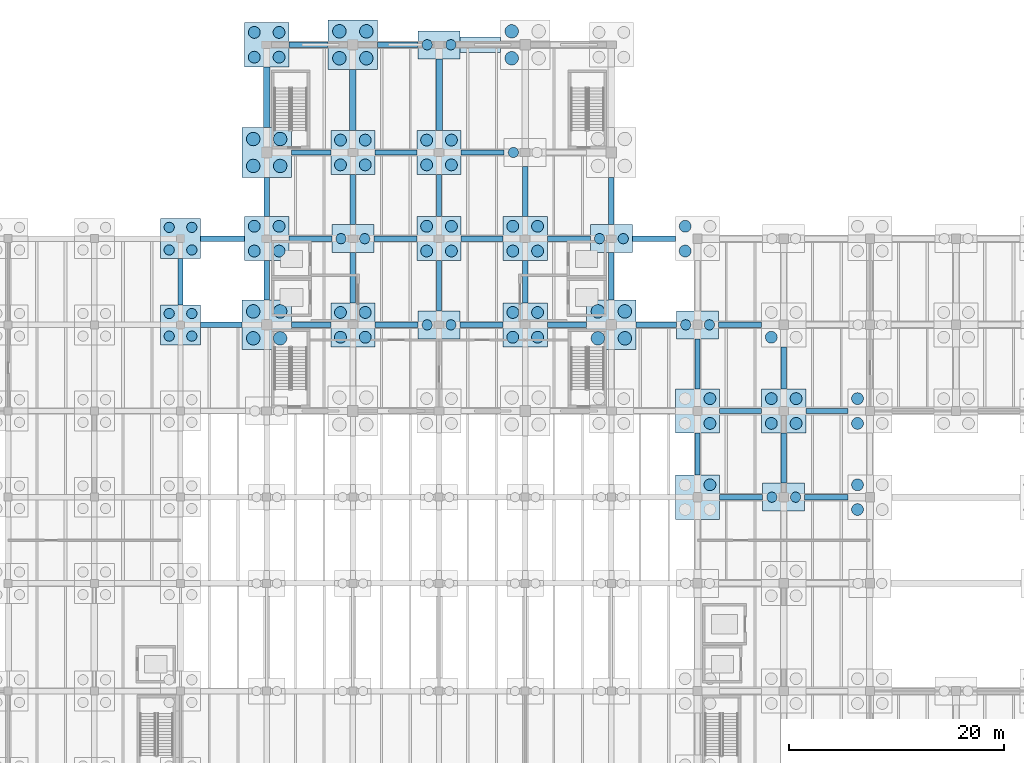
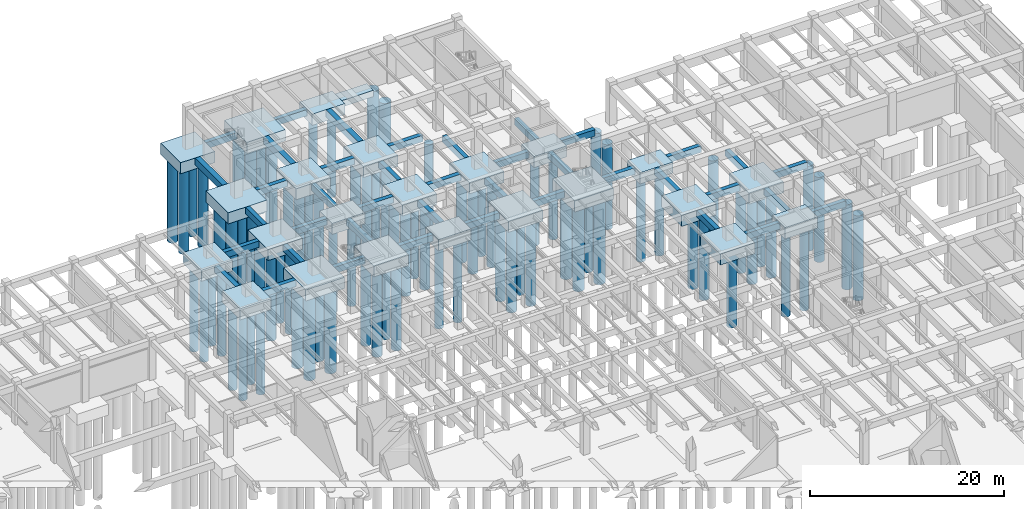
# One storey, part 6 of 44: 85 piles, 64 footings.
"""IFC4 building model written with IfcOpenShell, lengths in metres."""

from ifc_helpers import new_model, si_unit, direction, frame, origin, origin_2d, place, context, subcontext, project, spatial, rectangle, circle, extrude, material, material_profile, profile_set, type_object, element, save


model = new_model("IFC4")

# Units and contexts
model_context = context("Model", 3, precision=1e-05, world=origin(), true_north=direction((0.0, 1.0)))
body_context = subcontext(model_context, "Body", "Model", "MODEL_VIEW")
ifc_project = project(units=[si_unit("LENGTHUNIT", "METRE"), si_unit("AREAUNIT", "SQUARE_METRE"), si_unit("VOLUMEUNIT", "CUBIC_METRE"), si_unit("PLANEANGLEUNIT", "RADIAN"), si_unit("MASSUNIT", "GRAM", prefix="KILO")], contexts=[model_context])

# Site, building, storey
site_placement = place(None, origin())
site = spatial("IfcSite", under=ifc_project, at=site_placement, CompositionType="ELEMENT")
building_placement = place(site_placement, origin())
building = spatial("IfcBuilding", under=site, at=building_placement, Name="Pecanmere Concourse Central Library", CompositionType="ELEMENT")
storey_placement = place(building_placement, frame((0.0, 0.0, -5.39990234375)))
storey = spatial("IfcBuildingStorey", under=building, at=storey_placement, Name="B1", CompositionType="ELEMENT", Elevation=-5.39990234375)

# Footings
ifc_material_1 = material(Name="Concrete C40/50", Category="concrete")
ifc_material_profile_1 = material_profile(ifc_material_1, rectangle(XDim=0.5, YDim=0.800048828125, at=origin_2d()), Name="RC 500x800")
ifc_profile_set_1 = profile_set([ifc_material_profile_1], Name="Concrete C40/50")
footing_type_1 = type_object("IfcFootingType", Name="GBEAM_500x800", PredefinedType="FOOTING_BEAM", material=ifc_profile_set_1)
for number, where, z_axis, x_axis, name in (
    (1, (116.050048828125, 82.0, -0.80029296875), (0.0, 0.0, 1.0), (1.0, 0.0, 0.0), "Foundation Tie Beam X-161"),
    (2, (123.949951171875, 82.0, -0.80029296875), (0.0, 0.0, 1.0), (1.0, 0.0, 0.0), "Foundation Tie Beam X-162"),
):
    element("IfcFooting", number, at=place(storey_placement, frame(where, z_axis=z_axis, x_axis=x_axis)), inside=storey, type_object=footing_type_1, Name=name, PredefinedType="FOOTING_BEAM", context=body_context, shape_type="SweptSolid", body=[
        extrude(rectangle(XDim=4.0, YDim=0.5, at=origin_2d()), origin(), (0.0, 0.0, 1.0), 0.800048828125),
    ])
for number, where, z_axis, x_axis, name in (
    (3, (116.0, 90.0, -0.80029296875), (0.0, 0.0, 1.0), (1.0, 0.0, 0.0), "Foundation Tie Beam X-176"),
    (4, (124.0, 90.0, -0.80029296875), (0.0, 0.0, 1.0), (1.0, 0.0, 0.0), "Foundation Tie Beam X-177"),
):
    element("IfcFooting", number, at=place(storey_placement, frame(where, z_axis=z_axis, x_axis=x_axis)), inside=storey, type_object=footing_type_1, Name=name, PredefinedType="FOOTING_BEAM", context=body_context, shape_type="SweptSolid", body=[
        extrude(rectangle(XDim=3.89990234375, YDim=0.5, at=origin_2d()), origin(), (0.0, 0.0, 1.0), 0.800048828125),
    ])
footing_1_placement = place(storey_placement, frame((67.77490234375, 98.0, -0.80029296875), z_axis=(0.0, 0.0, 1.0), x_axis=(1.0, 0.0, 0.0)))
element("IfcFooting", 5, at=footing_1_placement, inside=storey, type_object=footing_type_1, Name="Foundation Tie Beam X-186", PredefinedType="FOOTING_BEAM", context=body_context, shape_type="SweptSolid", body=[
    extrude(rectangle(XDim=3.85009765625, YDim=0.5, at=origin_2d()), origin(), (0.0, 0.0, 1.0), 0.800048828125),
])
footing_2_placement = place(storey_placement, frame((76.125, 98.0, -0.80029296875), z_axis=(0.0, 0.0, 1.0), x_axis=(1.0, 0.0, 0.0)))
element("IfcFooting", 6, at=footing_2_placement, inside=storey, type_object=footing_type_1, Name="Foundation Tie Beam X-187", PredefinedType="FOOTING_BEAM", context=body_context, shape_type="SweptSolid", body=[
    extrude(rectangle(XDim=3.64990234375, YDim=0.5, at=origin_2d()), origin(), (0.0, 0.0, 1.0), 0.800048828125),
])
for number, where, z_axis, x_axis, name in (
    (7, (84.050048828125, 98.0, -0.80029296875), (0.0, 0.0, 1.0), (1.0, 0.0, 0.0), "Foundation Tie Beam X-188"),
    (8, (91.949951171875, 98.0, -0.80029296875), (0.0, 0.0, 1.0), (1.0, 0.0, 0.0), "Foundation Tie Beam X-189"),
):
    element("IfcFooting", number, at=place(storey_placement, frame(where, z_axis=z_axis, x_axis=x_axis)), inside=storey, type_object=footing_type_1, Name=name, PredefinedType="FOOTING_BEAM", context=body_context, shape_type="SweptSolid", body=[
        extrude(rectangle(XDim=4.0, YDim=0.5, at=origin_2d()), origin(), (0.0, 0.0, 1.0), 0.800048828125),
    ])
footing_3_placement = place(storey_placement, frame((99.875, 98.0, -0.80029296875), z_axis=(0.0, 0.0, 1.0), x_axis=(1.0, 0.0, 0.0)))
element("IfcFooting", 9, at=footing_3_placement, inside=storey, type_object=footing_type_1, Name="Foundation Tie Beam X-190", PredefinedType="FOOTING_BEAM", context=body_context, shape_type="SweptSolid", body=[
    extrude(rectangle(XDim=3.64990234375, YDim=0.5, at=origin_2d()), origin(), (0.0, 0.0, 1.0), 0.800048828125),
])
footing_4_placement = place(storey_placement, frame((108.175048828125, 98.0, -0.80029296875), z_axis=(0.0, 0.0, 1.0), x_axis=(1.0, 0.0, 0.0)))
element("IfcFooting", 10, at=footing_4_placement, inside=storey, type_object=footing_type_1, Name="Foundation Tie Beam X-191", PredefinedType="FOOTING_BEAM", context=body_context, shape_type="SweptSolid", body=[
    extrude(rectangle(XDim=3.75, YDim=0.5, at=origin_2d()), origin(), (0.0, 0.0, 1.0), 0.800048828125),
])
footing_5_placement = place(storey_placement, frame((115.949951171875, 98.0, -0.80029296875), z_axis=(0.0, 0.0, 1.0), x_axis=(1.0, 0.0, 0.0)))
element("IfcFooting", 11, at=footing_5_placement, inside=storey, type_object=footing_type_1, Name="Foundation Tie Beam X-192", PredefinedType="FOOTING_BEAM", context=body_context, shape_type="SweptSolid", body=[
    extrude(rectangle(XDim=4.0, YDim=0.5, at=origin_2d()), origin(), (0.0, 0.0, 1.0), 0.800048828125),
])
footing_6_placement = place(storey_placement, frame((67.89990234375, 106.0, -0.80029296875), z_axis=(0.0, 0.0, 1.0), x_axis=(1.0, 0.0, 0.0)))
element("IfcFooting", 12, at=footing_6_placement, inside=storey, type_object=footing_type_1, Name="Foundation Tie Beam X-202", PredefinedType="FOOTING_BEAM", context=body_context, shape_type="SweptSolid", body=[
    extrude(rectangle(XDim=4.10009765625, YDim=0.5, at=origin_2d()), origin(), (0.0, 0.0, 1.0), 0.800048828125),
])
for number, where, z_axis, x_axis, name in (
    (13, (76.050048828125, 106.0, -0.80029296875), (0.0, 0.0, 1.0), (1.0, 0.0, 0.0), "Foundation Tie Beam X-203"),
    (14, (83.949951171875, 106.0, -0.80029296875), (0.0, 0.0, 1.0), (1.0, 0.0, 0.0), "Foundation Tie Beam X-204"),
):
    element("IfcFooting", number, at=place(storey_placement, frame(where, z_axis=z_axis, x_axis=x_axis)), inside=storey, type_object=footing_type_1, Name=name, PredefinedType="FOOTING_BEAM", context=body_context, shape_type="SweptSolid", body=[
        extrude(rectangle(XDim=4.0, YDim=0.5, at=origin_2d()), origin(), (0.0, 0.0, 1.0), 0.800048828125),
    ])
footing_7_placement = place(storey_placement, frame((92.0, 106.0, -0.80029296875), z_axis=(0.0, 0.0, 1.0), x_axis=(1.0, 0.0, 0.0)))
element("IfcFooting", 15, at=footing_7_placement, inside=storey, type_object=footing_type_1, Name="Foundation Tie Beam X-205", PredefinedType="FOOTING_BEAM", context=body_context, shape_type="SweptSolid", body=[
    extrude(rectangle(XDim=3.89990234375, YDim=0.5, at=origin_2d()), origin(), (0.0, 0.0, 1.0), 0.800048828125),
])
for number, where, z_axis, x_axis, name in (
    (16, (100.050048828125, 106.0, -0.80029296875), (0.0, 0.0, 1.0), (1.0, 0.0, 0.0), "Foundation Tie Beam X-206"),
    (17, (107.949951171875, 106.0, -0.80029296875), (0.0, 0.0, 1.0), (1.0, 0.0, 0.0), "Foundation Tie Beam X-207"),
):
    element("IfcFooting", number, at=place(storey_placement, frame(where, z_axis=z_axis, x_axis=x_axis)), inside=storey, type_object=footing_type_1, Name=name, PredefinedType="FOOTING_BEAM", context=body_context, shape_type="SweptSolid", body=[
        extrude(rectangle(XDim=4.0, YDim=0.5, at=origin_2d()), origin(), (0.0, 0.0, 1.0), 0.800048828125),
    ])
footing_8_placement = place(storey_placement, frame((76.125, 114.0, -0.80029296875), z_axis=(0.0, 0.0, 1.0), x_axis=(1.0, 0.0, 0.0)))
element("IfcFooting", 18, at=footing_8_placement, inside=storey, type_object=footing_type_1, Name="Foundation Tie Beam X-213", PredefinedType="FOOTING_BEAM", context=body_context, shape_type="SweptSolid", body=[
    extrude(rectangle(XDim=3.64990234375, YDim=0.5, at=origin_2d()), origin(), (0.0, 0.0, 1.0), 0.800048828125),
])
footing_9_placement = place(storey_placement, frame((84.0, 114.0, -0.80029296875), z_axis=(0.0, 0.0, 1.0), x_axis=(1.0, 0.0, 0.0)))
element("IfcFooting", 19, at=footing_9_placement, inside=storey, type_object=footing_type_1, Name="Foundation Tie Beam X-214", PredefinedType="FOOTING_BEAM", context=body_context, shape_type="SweptSolid", body=[
    extrude(rectangle(XDim=3.89990234375, YDim=0.5, at=origin_2d()), origin(), (0.0, 0.0, 1.0), 0.800048828125),
])
footing_10_placement = place(storey_placement, frame((92.050048828125, 114.0, -0.80029296875), z_axis=(0.0, 0.0, 1.0), x_axis=(1.0, 0.0, 0.0)))
element("IfcFooting", 20, at=footing_10_placement, inside=storey, type_object=footing_type_1, Name="Foundation Tie Beam X-215", PredefinedType="FOOTING_BEAM", context=body_context, shape_type="SweptSolid", body=[
    extrude(rectangle(XDim=4.0, YDim=0.5, at=origin_2d()), origin(), (0.0, 0.0, 1.0), 0.800048828125),
])
footing_11_placement = place(storey_placement, frame((75.875, 124.0, -0.80029296875), z_axis=(0.0, 0.0, 1.0), x_axis=(1.0, 0.0, 0.0)))
element("IfcFooting", 21, at=footing_11_placement, inside=storey, type_object=footing_type_1, Name="Foundation Tie Beam X-217", PredefinedType="FOOTING_BEAM", context=body_context, shape_type="SweptSolid", body=[
    extrude(rectangle(XDim=3.64990234375, YDim=0.5, at=origin_2d()), origin(), (0.0, 0.0, 1.0), 0.800048828125),
])
footing_12_placement = place(storey_placement, frame((84.175048828125, 124.0, -0.80029296875), z_axis=(0.0, 0.0, 1.0), x_axis=(1.0, 0.0, 0.0)))
element("IfcFooting", 22, at=footing_12_placement, inside=storey, type_object=footing_type_1, Name="Foundation Tie Beam X-218", PredefinedType="FOOTING_BEAM", context=body_context, shape_type="SweptSolid", body=[
    extrude(rectangle(XDim=3.75, YDim=0.5, at=origin_2d()), origin(), (0.0, 0.0, 1.0), 0.800048828125),
])
footing_13_placement = place(storey_placement, frame((64.0, 102.0, -0.80029296875), z_axis=(0.0, 0.0, 1.0), x_axis=(0.0, 1.0, 0.0)))
element("IfcFooting", 23, at=footing_13_placement, inside=storey, type_object=footing_type_1, Name="Foundation Tie Beam Y-297", PredefinedType="FOOTING_BEAM", context=body_context, shape_type="SweptSolid", body=[
    extrude(rectangle(XDim=4.300048828125, YDim=0.5, at=origin_2d()), origin(), (0.0, 0.0, 1.0), 0.800048828125),
])
for number, where, z_axis, x_axis, name in (
    (24, (72.0, 102.125, -0.80029296875), (0.0, 0.0, 1.0), (0.0, 1.0, 0.0), "Foundation Tie Beam Y-307"),
    (25, (72.0, 109.875, -0.80029296875), (0.0, 0.0, 1.0), (0.0, 1.0, 0.0), "Foundation Tie Beam Y-308"),
):
    element("IfcFooting", number, at=place(storey_placement, frame(where, z_axis=z_axis, x_axis=x_axis)), inside=storey, type_object=footing_type_1, Name=name, PredefinedType="FOOTING_BEAM", context=body_context, shape_type="SweptSolid", body=[
        extrude(rectangle(XDim=3.64990234375, YDim=0.5, at=origin_2d()), origin(), (0.0, 0.0, 1.0), 0.800048828125),
    ])
for number, where, z_axis, x_axis, name in (
    (26, (80.0, 102.375, -0.80029296875), (0.0, 0.0, 1.0), (0.0, 1.0, 0.0), "Foundation Tie Beam Y-319"),
    (27, (80.0, 109.625, -0.80029296875), (0.0, 0.0, 1.0), (0.0, 1.0, 0.0), "Foundation Tie Beam Y-320"),
    (28, (88.0, 101.625, -0.80029296875), (0.0, 0.0, 1.0), (0.0, 1.0, 0.0), "Foundation Tie Beam Y-331"),
):
    element("IfcFooting", number, at=place(storey_placement, frame(where, z_axis=z_axis, x_axis=x_axis)), inside=storey, type_object=footing_type_1, Name=name, PredefinedType="FOOTING_BEAM", context=body_context, shape_type="SweptSolid", body=[
        extrude(rectangle(XDim=4.64990234375, YDim=0.5, at=origin_2d()), origin(), (0.0, 0.0, 1.0), 0.800048828125),
    ])
for number, where, z_axis, x_axis, name in (
    (29, (88.0, 110.0, -0.80029296875), (0.0, 0.0, 1.0), (0.0, 1.0, 0.0), "Foundation Tie Beam Y-332"),
    (30, (96.0, 102.0, -0.80029296875), (0.0, 0.0, 1.0), (0.0, 1.0, 0.0), "Foundation Tie Beam Y-343"),
):
    element("IfcFooting", number, at=place(storey_placement, frame(where, z_axis=z_axis, x_axis=x_axis)), inside=storey, type_object=footing_type_1, Name=name, PredefinedType="FOOTING_BEAM", context=body_context, shape_type="SweptSolid", body=[
        extrude(rectangle(XDim=3.89990234375, YDim=0.5, at=origin_2d()), origin(), (0.0, 0.0, 1.0), 0.800048828125),
    ])
footing_14_placement = place(storey_placement, frame((96.0, 110.375, -0.80029296875), z_axis=(0.0, 0.0, 1.0), x_axis=(0.0, 1.0, 0.0)))
element("IfcFooting", 31, at=footing_14_placement, inside=storey, type_object=footing_type_1, Name="Foundation Tie Beam Y-344", PredefinedType="FOOTING_BEAM", context=body_context, shape_type="SweptSolid", body=[
    extrude(rectangle(XDim=4.64990234375, YDim=0.5, at=origin_2d()), origin(), (0.0, 0.0, 1.0), 0.800048828125),
])
for number, where, z_axis, x_axis, name in (
    (32, (104.0, 102.5, -0.80029296875), (0.0, 0.0, 1.0), (0.0, 1.0, 0.0), "Foundation Tie Beam Y-355"),
    (33, (104.0, 109.5, -0.80029296875), (0.0, 0.0, 1.0), (0.0, 1.0, 0.0), "Foundation Tie Beam Y-356"),
):
    element("IfcFooting", number, at=place(storey_placement, frame(where, z_axis=z_axis, x_axis=x_axis)), inside=storey, type_object=footing_type_1, Name=name, PredefinedType="FOOTING_BEAM", context=body_context, shape_type="SweptSolid", body=[
        extrude(rectangle(XDim=4.39990234375, YDim=0.5, at=origin_2d()), origin(), (0.0, 0.0, 1.0), 0.800048828125),
    ])
footing_15_placement = place(storey_placement, frame((112.0, 86.0, -0.80029296875), z_axis=(0.0, 0.0, 1.0), x_axis=(0.0, 1.0, 0.0)))
element("IfcFooting", 34, at=footing_15_placement, inside=storey, type_object=footing_type_1, Name="Foundation Tie Beam Y-365", PredefinedType="FOOTING_BEAM", context=body_context, shape_type="SweptSolid", body=[
    extrude(rectangle(XDim=3.89990234375, YDim=0.5, at=origin_2d()), origin(), (0.0, 0.0, 1.0), 0.800048828125),
])
for number, where, z_axis, x_axis, name in (
    (35, (112.0, 94.375, -0.80029296875), (0.0, 0.0, 1.0), (0.0, 1.0, 0.0), "Foundation Tie Beam Y-366"),
    (36, (120.0, 85.625, -0.80029296875), (0.0, 0.0, 1.0), (0.0, 1.0, 0.0), "Foundation Tie Beam Y-375"),
):
    element("IfcFooting", number, at=place(storey_placement, frame(where, z_axis=z_axis, x_axis=x_axis)), inside=storey, type_object=footing_type_1, Name=name, PredefinedType="FOOTING_BEAM", context=body_context, shape_type="SweptSolid", body=[
        extrude(rectangle(XDim=4.64990234375, YDim=0.5, at=origin_2d()), origin(), (0.0, 0.0, 1.0), 0.800048828125),
    ])
footing_16_placement = place(storey_placement, frame((120.0, 94.0, -0.80029296875), z_axis=(0.0, 0.0, 1.0), x_axis=(0.0, 1.0, 0.0)))
element("IfcFooting", 37, at=footing_16_placement, inside=storey, type_object=footing_type_1, Name="Foundation Tie Beam Y-376", PredefinedType="FOOTING_BEAM", context=body_context, shape_type="SweptSolid", body=[
    extrude(rectangle(XDim=3.89990234375, YDim=0.5, at=origin_2d()), origin(), (0.0, 0.0, 1.0), 0.800048828125),
])
ifc_material_2 = material(Name="Concrete C40/50", Category="concrete")
ifc_material_profile_2 = material_profile(ifc_material_2, rectangle(XDim=0.60009765625, YDim=0.89990234375, at=origin_2d()), Name="RC 600x900")
ifc_profile_set_2 = profile_set([ifc_material_profile_2], Name="Concrete C40/50")
footing_type_2 = type_object("IfcFootingType", Name="GBEAM_600x900", PredefinedType="FOOTING_BEAM", material=ifc_profile_set_2)
for number, where, z_axis, x_axis, name in (
    (38, (72.0, 119.125, -0.900146484375), (0.0, 0.0, 1.0), (0.0, 1.0, 0.0), "Foundation Tie Beam Y-309"),
    (39, (80.0, 118.875, -0.900146484375), (0.0, 0.0, 1.0), (0.0, 1.0, 0.0), "Foundation Tie Beam Y-321"),
):
    element("IfcFooting", number, at=place(storey_placement, frame(where, z_axis=z_axis, x_axis=x_axis)), inside=storey, type_object=footing_type_2, Name=name, PredefinedType="FOOTING_BEAM", context=body_context, shape_type="SweptSolid", body=[
        extrude(rectangle(XDim=5.64990234375, YDim=0.60009765625, at=origin_2d()), origin(), (0.0, 0.0, 1.0), 0.89990234375),
    ])
footing_17_placement = place(storey_placement, frame((88.0, 119.375, -0.900146484375), z_axis=(0.0, 0.0, 1.0), x_axis=(0.0, 1.0, 0.0)))
element("IfcFooting", 40, at=footing_17_placement, inside=storey, type_object=footing_type_2, Name="Foundation Tie Beam Y-333", PredefinedType="FOOTING_BEAM", context=body_context, shape_type="SweptSolid", body=[
    extrude(rectangle(XDim=6.64990234375, YDim=0.60009765625, at=origin_2d()), origin(), (0.0, 0.0, 1.0), 0.89990234375),
])
ifc_material_3 = material(Name="Concrete C40/50", Category="concrete")
footing_type_3 = type_object("IfcFootingType", Name="PCAP_3700x3700", PredefinedType="PILE_CAP", material=ifc_material_3)
for number, where, z_axis, x_axis, name in (
    (41, (64.0, 98.0, -1.400146484375), (0.0, 0.0, 1.0), (1.0, 0.0, 0.0), "Drilled Pier Cap PC-03 at (64,98)"),
    (42, (64.0, 106.0, -1.400146484375), (0.0, 0.0, 1.0), (1.0, 0.0, 0.0), "Drilled Pier Cap PC-03 at (64,106)"),
):
    element("IfcFooting", number, at=place(storey_placement, frame(where, z_axis=z_axis, x_axis=x_axis)), inside=storey, type_object=footing_type_3, Name=name, PredefinedType="PILE_CAP", context=body_context, shape_type="SweptSolid", body=[
        extrude(rectangle(XDim=3.699951171875, YDim=3.699951171875, at=origin_2d()), origin(), (0.0, 0.0, 1.0), 1.39990234375),
    ])
ifc_material_4 = material(Name="Concrete C40/50", Category="concrete")
footing_type_4 = type_object("IfcFootingType", Name="PCAP_3900x2600", PredefinedType="PILE_CAP", material=ifc_material_4)
for number, where, z_axis, x_axis, name in (
    (43, (80.0, 106.0, -1.400146484375), (0.0, 0.0, 1.0), (1.0, 0.0, 0.0), "Drilled Pier Cap PC-04 at (80,106)"),
    (44, (88.0, 98.0, -1.400146484375), (0.0, 0.0, 1.0), (1.0, 0.0, 0.0), "Drilled Pier Cap PC-04 at (88,98)"),
    (45, (88.0, 124.0, -1.400146484375), (0.0, 0.0, 1.0), (1.0, 0.0, 0.0), "Drilled Pier Cap PC-04 at (88,124)"),
    (46, (104.0, 106.0, -1.400146484375), (0.0, 0.0, 1.0), (1.0, 0.0, 0.0), "Drilled Pier Cap PC-04 at (104,106)"),
    (47, (112.0, 98.0, -1.400146484375), (0.0, 0.0, 1.0), (1.0, 0.0, 0.0), "Drilled Pier Cap PC-04 at (112,98)"),
    (48, (120.0, 82.0, -1.400146484375), (0.0, 0.0, 1.0), (1.0, 0.0, 0.0), "Drilled Pier Cap PC-04 at (120,82)"),
):
    element("IfcFooting", number, at=place(storey_placement, frame(where, z_axis=z_axis, x_axis=x_axis)), inside=storey, type_object=footing_type_4, Name=name, PredefinedType="PILE_CAP", context=body_context, shape_type="SweptSolid", body=[
        extrude(rectangle(XDim=3.89990234375, YDim=2.60009765625, at=origin_2d()), origin(), (0.0, 0.0, 1.0), 1.39990234375),
    ])
ifc_material_5 = material(Name="Concrete C40/50", Category="concrete")
footing_type_5 = type_object("IfcFootingType", Name="PCAP_4100x4100", PredefinedType="PILE_CAP", material=ifc_material_5)
for number, where, z_axis, x_axis, name in (
    (49, (72.0, 106.0, -1.400146484375), (0.0, 0.0, 1.0), (1.0, 0.0, 0.0), "Drilled Pier Cap PC-02 at (72,106)"),
    (50, (72.0, 124.0, -1.400146484375), (0.0, 0.0, 1.0), (1.0, 0.0, 0.0), "Drilled Pier Cap PC-02 at (72,124)"),
    (51, (80.0, 98.0, -1.400146484375), (0.0, 0.0, 1.0), (1.0, 0.0, 0.0), "Drilled Pier Cap PC-02 at (80,98)"),
    (52, (80.0, 114.0, -1.400146484375), (0.0, 0.0, 1.0), (1.0, 0.0, 0.0), "Drilled Pier Cap PC-02 at (80,114)"),
    (53, (88.0, 106.0, -1.400146484375), (0.0, 0.0, 1.0), (1.0, 0.0, 0.0), "Drilled Pier Cap PC-02 at (88,106)"),
    (54, (88.0, 114.0, -1.400146484375), (0.0, 0.0, 1.0), (1.0, 0.0, 0.0), "Drilled Pier Cap PC-02 at (88,114)"),
    (55, (96.0, 98.0, -1.400146484375), (0.0, 0.0, 1.0), (1.0, 0.0, 0.0), "Drilled Pier Cap PC-02 at (96,98)"),
    (56, (96.0, 106.0, -1.400146484375), (0.0, 0.0, 1.0), (1.0, 0.0, 0.0), "Drilled Pier Cap PC-02 at (96,106)"),
    (57, (112.0, 82.0, -1.400146484375), (0.0, 0.0, 1.0), (1.0, 0.0, 0.0), "Drilled Pier Cap PC-02 at (112,82)"),
    (58, (112.0, 90.0, -1.400146484375), (0.0, 0.0, 1.0), (1.0, 0.0, 0.0), "Drilled Pier Cap PC-02 at (112,90)"),
    (59, (120.0, 90.0, -1.400146484375), (0.0, 0.0, 1.0), (1.0, 0.0, 0.0), "Drilled Pier Cap PC-02 at (120,90)"),
):
    element("IfcFooting", number, at=place(storey_placement, frame(where, z_axis=z_axis, x_axis=x_axis)), inside=storey, type_object=footing_type_5, Name=name, PredefinedType="PILE_CAP", context=body_context, shape_type="SweptSolid", body=[
        extrude(rectangle(XDim=4.10009765625, YDim=4.10009765625, at=origin_2d()), origin(), (0.0, 0.0, 1.0), 1.39990234375),
    ])
ifc_material_6 = material(Name="Concrete C40/50", Category="concrete")
footing_type_6 = type_object("IfcFootingType", Name="PCAP_4600x4600", PredefinedType="PILE_CAP", material=ifc_material_6)
for number, where, z_axis, x_axis, name in (
    (60, (72.0, 98.0, -1.400146484375), (0.0, 0.0, 1.0), (1.0, 0.0, 0.0), "Drilled Pier Cap PC-01 at (72,98)"),
    (61, (72.0, 114.0, -1.400146484375), (0.0, 0.0, 1.0), (1.0, 0.0, 0.0), "Drilled Pier Cap PC-01 at (72,114)"),
    (62, (80.0, 124.0, -1.400146484375), (0.0, 0.0, 1.0), (1.0, 0.0, 0.0), "Drilled Pier Cap PC-01 at (80,124)"),
    (63, (104.0, 98.0, -1.400146484375), (0.0, 0.0, 1.0), (1.0, 0.0, 0.0), "Drilled Pier Cap PC-01 at (104,98)"),
):
    element("IfcFooting", number, at=place(storey_placement, frame(where, z_axis=z_axis, x_axis=x_axis)), inside=storey, type_object=footing_type_6, Name=name, PredefinedType="PILE_CAP", context=body_context, shape_type="SweptSolid", body=[
        extrude(rectangle(XDim=4.60009765625, YDim=4.60009765625, at=origin_2d()), origin(), (0.0, 0.0, 1.0), 1.39990234375),
    ])

# Piles
ifc_material_7 = material(Name="Concrete C35/45", Category="concrete")
ifc_material_profile_3 = material_profile(ifc_material_7, circle(Radius=0.550048828125, at=origin_2d()), Name="PIER D1100")
ifc_profile_set_3 = profile_set([ifc_material_profile_3], Name="Concrete C35/45")
pile_type_1 = type_object("IfcPileType", Name="PILE_D1100", PredefinedType="BORED", material=ifc_profile_set_3)
for number, where, z_axis, x_axis, name in (
    (64, (70.85009765625, 104.85009765625, -1.300048828125), (0.0, 0.0, -1.0), (1.0, 0.0, 0.0), "Bored Pier PL-03 098.1"),
    (65, (73.14990234375, 104.85009765625, -1.300048828125), (0.0, 0.0, -1.0), (1.0, 0.0, 0.0), "Bored Pier PL-03 098.2"),
    (66, (70.85009765625, 107.14990234375, -1.300048828125), (0.0, 0.0, -1.0), (1.0, 0.0, 0.0), "Bored Pier PL-03 098.3"),
    (67, (73.14990234375, 107.14990234375, -1.300048828125), (0.0, 0.0, -1.0), (1.0, 0.0, 0.0), "Bored Pier PL-03 098.4"),
    (68, (70.85009765625, 122.85009765625, -1.300048828125), (0.0, 0.0, -1.0), (1.0, 0.0, 0.0), "Bored Pier PL-03 100.1"),
    (69, (73.14990234375, 122.85009765625, -1.300048828125), (0.0, 0.0, -1.0), (1.0, 0.0, 0.0), "Bored Pier PL-03 100.2"),
    (70, (70.85009765625, 125.14990234375, -1.300048828125), (0.0, 0.0, -1.0), (1.0, 0.0, 0.0), "Bored Pier PL-03 100.3"),
    (71, (73.14990234375, 125.14990234375, -1.300048828125), (0.0, 0.0, -1.0), (1.0, 0.0, 0.0), "Bored Pier PL-03 100.4"),
    (72, (78.85009765625, 96.85009765625, -1.300048828125), (0.0, 0.0, -1.0), (1.0, 0.0, 0.0), "Bored Pier PL-03 110.1"),
    (73, (81.14990234375, 96.85009765625, -1.300048828125), (0.0, 0.0, -1.0), (1.0, 0.0, 0.0), "Bored Pier PL-03 110.2"),
    (74, (78.85009765625, 99.14990234375, -1.300048828125), (0.0, 0.0, -1.0), (1.0, 0.0, 0.0), "Bored Pier PL-03 110.3"),
    (75, (81.14990234375, 99.14990234375, -1.300048828125), (0.0, 0.0, -1.0), (1.0, 0.0, 0.0), "Bored Pier PL-03 110.4"),
    (76, (78.85009765625, 112.85009765625, -1.300048828125), (0.0, 0.0, -1.0), (1.0, 0.0, 0.0), "Bored Pier PL-03 112.1"),
    (77, (81.14990234375, 112.85009765625, -1.300048828125), (0.0, 0.0, -1.0), (1.0, 0.0, 0.0), "Bored Pier PL-03 112.2"),
    (78, (78.85009765625, 115.14990234375, -1.300048828125), (0.0, 0.0, -1.0), (1.0, 0.0, 0.0), "Bored Pier PL-03 112.3"),
    (79, (81.14990234375, 115.14990234375, -1.300048828125), (0.0, 0.0, -1.0), (1.0, 0.0, 0.0), "Bored Pier PL-03 112.4"),
    (80, (86.85009765625, 104.85009765625, -1.300048828125), (0.0, 0.0, -1.0), (1.0, 0.0, 0.0), "Bored Pier PL-03 124.1"),
    (81, (89.14990234375, 104.85009765625, -1.300048828125), (0.0, 0.0, -1.0), (1.0, 0.0, 0.0), "Bored Pier PL-03 124.2"),
    (82, (86.85009765625, 107.14990234375, -1.300048828125), (0.0, 0.0, -1.0), (1.0, 0.0, 0.0), "Bored Pier PL-03 124.3"),
    (83, (89.14990234375, 107.14990234375, -1.300048828125), (0.0, 0.0, -1.0), (1.0, 0.0, 0.0), "Bored Pier PL-03 124.4"),
    (84, (86.85009765625, 112.85009765625, -1.300048828125), (0.0, 0.0, -1.0), (1.0, 0.0, 0.0), "Bored Pier PL-03 125.1"),
    (85, (89.14990234375, 112.85009765625, -1.300048828125), (0.0, 0.0, -1.0), (1.0, 0.0, 0.0), "Bored Pier PL-03 125.2"),
    (86, (86.85009765625, 115.14990234375, -1.300048828125), (0.0, 0.0, -1.0), (1.0, 0.0, 0.0), "Bored Pier PL-03 125.3"),
    (87, (89.14990234375, 115.14990234375, -1.300048828125), (0.0, 0.0, -1.0), (1.0, 0.0, 0.0), "Bored Pier PL-03 125.4"),
    (88, (94.85009765625, 96.85009765625, -1.300048828125), (0.0, 0.0, -1.0), (1.0, 0.0, 0.0), "Bored Pier PL-03 136.1"),
    (89, (97.14990234375, 96.85009765625, -1.300048828125), (0.0, 0.0, -1.0), (1.0, 0.0, 0.0), "Bored Pier PL-03 136.2"),
    (90, (94.85009765625, 99.14990234375, -1.300048828125), (0.0, 0.0, -1.0), (1.0, 0.0, 0.0), "Bored Pier PL-03 136.3"),
    (91, (97.14990234375, 99.14990234375, -1.300048828125), (0.0, 0.0, -1.0), (1.0, 0.0, 0.0), "Bored Pier PL-03 136.4"),
    (92, (94.85009765625, 104.85009765625, -1.300048828125), (0.0, 0.0, -1.0), (1.0, 0.0, 0.0), "Bored Pier PL-03 137.1"),
    (93, (97.14990234375, 104.85009765625, -1.300048828125), (0.0, 0.0, -1.0), (1.0, 0.0, 0.0), "Bored Pier PL-03 137.2"),
    (94, (94.85009765625, 107.14990234375, -1.300048828125), (0.0, 0.0, -1.0), (1.0, 0.0, 0.0), "Bored Pier PL-03 137.3"),
    (95, (97.14990234375, 107.14990234375, -1.300048828125), (0.0, 0.0, -1.0), (1.0, 0.0, 0.0), "Bored Pier PL-03 137.4"),
    (96, (113.14990234375, 83.14990234375, -1.300048828125), (0.0, 0.0, -1.0), (1.0, 0.0, 0.0), "Bored Pier PL-03 160.4"),
    (97, (113.14990234375, 88.85009765625, -1.300048828125), (0.0, 0.0, -1.0), (1.0, 0.0, 0.0), "Bored Pier PL-03 161.2"),
    (98, (113.14990234375, 91.14990234375, -1.300048828125), (0.0, 0.0, -1.0), (1.0, 0.0, 0.0), "Bored Pier PL-03 161.4"),
    (99, (110.85009765625, 104.85009765625, -1.300048828125), (0.0, 0.0, -1.0), (1.0, 0.0, 0.0), "Bored Pier PL-03 163.1"),
    (100, (110.85009765625, 107.14990234375, -1.300048828125), (0.0, 0.0, -1.0), (1.0, 0.0, 0.0), "Bored Pier PL-03 163.3"),
    (101, (118.85009765625, 88.85009765625, -1.300048828125), (0.0, 0.0, -1.0), (1.0, 0.0, 0.0), "Bored Pier PL-03 172.1"),
    (102, (121.14990234375, 88.85009765625, -1.300048828125), (0.0, 0.0, -1.0), (1.0, 0.0, 0.0), "Bored Pier PL-03 172.2"),
    (103, (118.85009765625, 91.14990234375, -1.300048828125), (0.0, 0.0, -1.0), (1.0, 0.0, 0.0), "Bored Pier PL-03 172.3"),
    (104, (121.14990234375, 91.14990234375, -1.300048828125), (0.0, 0.0, -1.0), (1.0, 0.0, 0.0), "Bored Pier PL-03 172.4"),
    (105, (118.85009765625, 96.85009765625, -1.300048828125), (0.0, 0.0, -1.0), (1.0, 0.0, 0.0), "Bored Pier PL-03 173.1"),
    (106, (126.85009765625, 80.85009765625, -1.300048828125), (0.0, 0.0, -1.0), (1.0, 0.0, 0.0), "Bored Pier PL-03 184.1"),
    (107, (126.85009765625, 83.14990234375, -1.300048828125), (0.0, 0.0, -1.0), (1.0, 0.0, 0.0), "Bored Pier PL-03 184.3"),
    (108, (126.85009765625, 88.85009765625, -1.300048828125), (0.0, 0.0, -1.0), (1.0, 0.0, 0.0), "Bored Pier PL-03 185.1"),
    (109, (126.85009765625, 91.14990234375, -1.300048828125), (0.0, 0.0, -1.0), (1.0, 0.0, 0.0), "Bored Pier PL-03 185.3"),
):
    element("IfcPile", number, at=place(storey_placement, frame(where, z_axis=z_axis, x_axis=x_axis)), inside=storey, type_object=pile_type_1, Name=name, PredefinedType="BORED", context=body_context, shape_type="SweptSolid", body=[
        extrude(circle(Radius=0.550048828125, at=origin_2d()), origin(), (0.0, 0.0, 1.0), 10.699951171875),
    ])
ifc_material_8 = material(Name="Concrete C35/45", Category="concrete")
ifc_material_profile_4 = material_profile(ifc_material_8, circle(Radius=0.625, at=origin_2d()), Name="PIER D1250")
ifc_profile_set_4 = profile_set([ifc_material_profile_4], Name="Concrete C35/45")
pile_type_2 = type_object("IfcPileType", Name="PILE_D1250", PredefinedType="BORED", material=ifc_profile_set_4)
for number, where, z_axis, x_axis, name in (
    (110, (70.75, 96.75, -1.300048828125), (0.0, 0.0, -1.0), (1.0, 0.0, 0.0), "Bored Pier PL-02 097.1"),
    (111, (73.25, 96.75, -1.300048828125), (0.0, 0.0, -1.0), (1.0, 0.0, 0.0), "Bored Pier PL-02 097.2"),
    (112, (70.75, 99.25, -1.300048828125), (0.0, 0.0, -1.0), (1.0, 0.0, 0.0), "Bored Pier PL-02 097.3"),
    (113, (73.25, 99.25, -1.300048828125), (0.0, 0.0, -1.0), (1.0, 0.0, 0.0), "Bored Pier PL-02 097.4"),
    (114, (70.75, 112.75, -1.300048828125), (0.0, 0.0, -1.0), (1.0, 0.0, 0.0), "Bored Pier PL-02 099.1"),
    (115, (73.25, 112.75, -1.300048828125), (0.0, 0.0, -1.0), (1.0, 0.0, 0.0), "Bored Pier PL-02 099.2"),
    (116, (70.75, 115.25, -1.300048828125), (0.0, 0.0, -1.0), (1.0, 0.0, 0.0), "Bored Pier PL-02 099.3"),
    (117, (73.25, 115.25, -1.300048828125), (0.0, 0.0, -1.0), (1.0, 0.0, 0.0), "Bored Pier PL-02 099.4"),
    (118, (78.75, 122.75, -1.300048828125), (0.0, 0.0, -1.0), (1.0, 0.0, 0.0), "Bored Pier PL-02 113.1"),
    (119, (81.25, 122.75, -1.300048828125), (0.0, 0.0, -1.0), (1.0, 0.0, 0.0), "Bored Pier PL-02 113.2"),
    (120, (78.75, 125.25, -1.300048828125), (0.0, 0.0, -1.0), (1.0, 0.0, 0.0), "Bored Pier PL-02 113.3"),
    (121, (81.25, 125.25, -1.300048828125), (0.0, 0.0, -1.0), (1.0, 0.0, 0.0), "Bored Pier PL-02 113.4"),
    (122, (94.75, 122.75, -1.300048828125), (0.0, 0.0, -1.0), (1.0, 0.0, 0.0), "Bored Pier PL-02 139.1"),
    (123, (94.75, 125.25, -1.300048828125), (0.0, 0.0, -1.0), (1.0, 0.0, 0.0), "Bored Pier PL-02 139.3"),
    (124, (102.75, 96.75, -1.300048828125), (0.0, 0.0, -1.0), (1.0, 0.0, 0.0), "Bored Pier PL-02 149.1"),
    (125, (105.25, 96.75, -1.300048828125), (0.0, 0.0, -1.0), (1.0, 0.0, 0.0), "Bored Pier PL-02 149.2"),
    (126, (102.75, 99.25, -1.300048828125), (0.0, 0.0, -1.0), (1.0, 0.0, 0.0), "Bored Pier PL-02 149.3"),
    (127, (105.25, 99.25, -1.300048828125), (0.0, 0.0, -1.0), (1.0, 0.0, 0.0), "Bored Pier PL-02 149.4"),
):
    element("IfcPile", number, at=place(storey_placement, frame(where, z_axis=z_axis, x_axis=x_axis)), inside=storey, type_object=pile_type_2, Name=name, PredefinedType="BORED", context=body_context, shape_type="SweptSolid", body=[
        extrude(circle(Radius=0.625, at=origin_2d()), origin(), (0.0, 0.0, 1.0), 10.699951171875),
    ])
ifc_material_9 = material(Name="Concrete C35/45", Category="concrete")
ifc_material_profile_5 = material_profile(ifc_material_9, circle(Radius=0.47509765625, at=origin_2d()), Name="PIER D950")
ifc_profile_set_5 = profile_set([ifc_material_profile_5], Name="Concrete C35/45")
pile_type_3 = type_object("IfcPileType", Name="PILE_D950", PredefinedType="BORED", material=ifc_profile_set_5)
for number, where, z_axis, x_axis, name in (
    (128, (62.949951171875, 96.949951171875, -1.300048828125), (0.0, 0.0, -1.0), (1.0, 0.0, 0.0), "Bored Pier PL-04 086.1"),
    (129, (65.050048828125, 96.949951171875, -1.300048828125), (0.0, 0.0, -1.0), (1.0, 0.0, 0.0), "Bored Pier PL-04 086.2"),
    (130, (62.949951171875, 99.050048828125, -1.300048828125), (0.0, 0.0, -1.0), (1.0, 0.0, 0.0), "Bored Pier PL-04 086.3"),
    (131, (65.050048828125, 99.050048828125, -1.300048828125), (0.0, 0.0, -1.0), (1.0, 0.0, 0.0), "Bored Pier PL-04 086.4"),
    (132, (62.949951171875, 104.949951171875, -1.300048828125), (0.0, 0.0, -1.0), (1.0, 0.0, 0.0), "Bored Pier PL-04 087.1"),
    (133, (65.050048828125, 104.949951171875, -1.300048828125), (0.0, 0.0, -1.0), (1.0, 0.0, 0.0), "Bored Pier PL-04 087.2"),
    (134, (62.949951171875, 107.050048828125, -1.300048828125), (0.0, 0.0, -1.0), (1.0, 0.0, 0.0), "Bored Pier PL-04 087.3"),
    (135, (65.050048828125, 107.050048828125, -1.300048828125), (0.0, 0.0, -1.0), (1.0, 0.0, 0.0), "Bored Pier PL-04 087.4"),
    (136, (78.89990234375, 106.0, -1.300048828125), (0.0, 0.0, -1.0), (1.0, 0.0, 0.0), "Bored Pier PL-04 111.1"),
    (137, (81.10009765625, 106.0, -1.300048828125), (0.0, 0.0, -1.0), (1.0, 0.0, 0.0), "Bored Pier PL-04 111.2"),
    (138, (86.89990234375, 98.0, -1.300048828125), (0.0, 0.0, -1.0), (1.0, 0.0, 0.0), "Bored Pier PL-04 123.1"),
    (139, (89.10009765625, 98.0, -1.300048828125), (0.0, 0.0, -1.0), (1.0, 0.0, 0.0), "Bored Pier PL-04 123.2"),
    (140, (86.89990234375, 124.0, -1.300048828125), (0.0, 0.0, -1.0), (1.0, 0.0, 0.0), "Bored Pier PL-04 126.1"),
    (141, (89.10009765625, 124.0, -1.300048828125), (0.0, 0.0, -1.0), (1.0, 0.0, 0.0), "Bored Pier PL-04 126.2"),
    (142, (94.89990234375, 114.0, -1.300048828125), (0.0, 0.0, -1.0), (1.0, 0.0, 0.0), "Bored Pier PL-04 138.1"),
    (143, (102.89990234375, 106.0, -1.300048828125), (0.0, 0.0, -1.0), (1.0, 0.0, 0.0), "Bored Pier PL-04 150.1"),
    (144, (105.10009765625, 106.0, -1.300048828125), (0.0, 0.0, -1.0), (1.0, 0.0, 0.0), "Bored Pier PL-04 150.2"),
    (145, (110.89990234375, 98.0, -1.300048828125), (0.0, 0.0, -1.0), (1.0, 0.0, 0.0), "Bored Pier PL-04 162.1"),
    (146, (113.10009765625, 98.0, -1.300048828125), (0.0, 0.0, -1.0), (1.0, 0.0, 0.0), "Bored Pier PL-04 162.2"),
    (147, (118.89990234375, 82.0, -1.300048828125), (0.0, 0.0, -1.0), (1.0, 0.0, 0.0), "Bored Pier PL-04 171.1"),
    (148, (121.10009765625, 82.0, -1.300048828125), (0.0, 0.0, -1.0), (1.0, 0.0, 0.0), "Bored Pier PL-04 171.2"),
):
    element("IfcPile", number, at=place(storey_placement, frame(where, z_axis=z_axis, x_axis=x_axis)), inside=storey, type_object=pile_type_3, Name=name, PredefinedType="BORED", context=body_context, shape_type="SweptSolid", body=[
        extrude(circle(Radius=0.47509765625, at=origin_2d()), origin(), (0.0, 0.0, 1.0), 10.699951171875),
    ])

# Footing
ifc_material_10 = material(Name="Concrete C40/50", Category="concrete")
ifc_material_profile_6 = material_profile(ifc_material_10, rectangle(XDim=1.39990234375, YDim=0.800048828125, at=origin_2d()), Name="RC 1400x800")
ifc_profile_set_6 = profile_set([ifc_material_profile_6], Name="Concrete C40/50")
footing_type_7 = type_object("IfcFootingType", Name="STRIP_1400x800", PredefinedType="STRIP_FOOTING", material=ifc_profile_set_6)
footing_18_placement = place(storey_placement, frame((91.824951171875, 124.0, -0.80029296875), z_axis=(0.0, 0.0, 1.0), x_axis=(1.0, 0.0, 0.0)))
element("IfcFooting", 149, at=footing_18_placement, inside=storey, type_object=footing_type_7, Name="Foundation Tie Beam X-219", PredefinedType="STRIP_FOOTING", context=body_context, shape_type="SweptSolid", body=[
    extrude(rectangle(XDim=3.75, YDim=1.39990234375, at=origin_2d()), origin(), (0.0, 0.0, 1.0), 0.800048828125),
])

save(model, "model.ifc")
